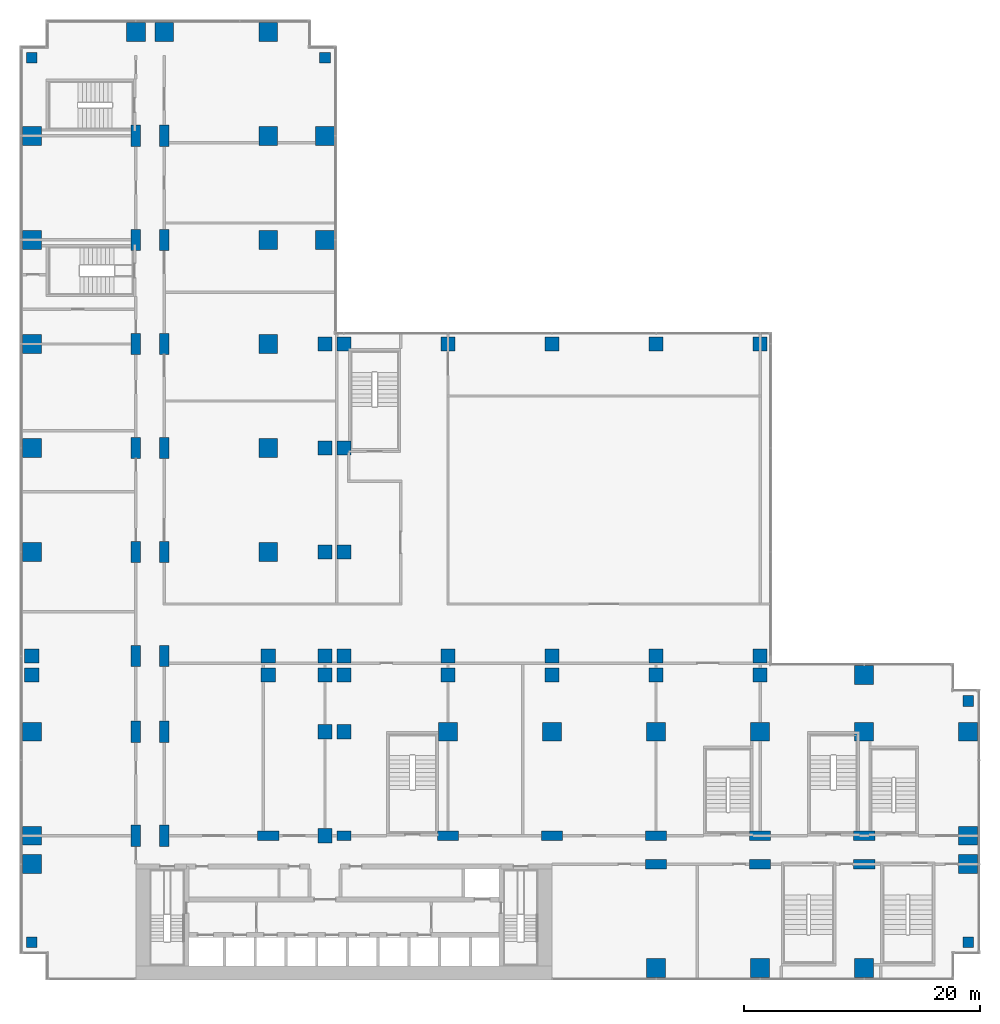
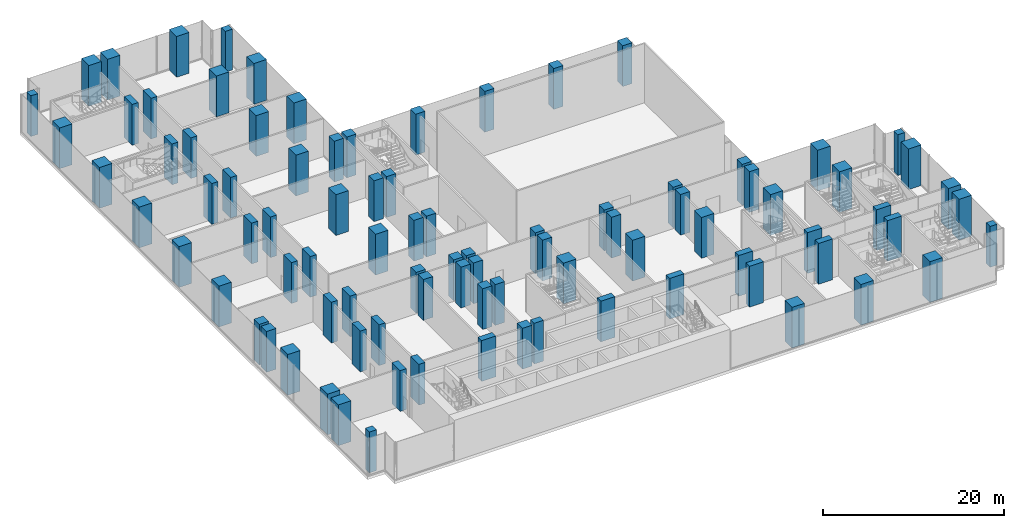
# One storey, part 1 of 30: 90 columns.
"""IFC4 building model written with IfcOpenShell, lengths in metres."""

from ifc_helpers import new_model, si_unit, direction, frame, origin, origin_2d, place, context, subcontext, project, spatial, rectangle, extrude, material, material_profile, profile_set, type_object, element, save


model = new_model("IFC4")

# Units and contexts
model_context = context("Model", 3, precision=1e-05, world=origin(), true_north=direction((0.0, 1.0)))
body_context = subcontext(model_context, "Body", "Model", "MODEL_VIEW")
ifc_project = project(units=[si_unit("LENGTHUNIT", "METRE"), si_unit("AREAUNIT", "SQUARE_METRE"), si_unit("VOLUMEUNIT", "CUBIC_METRE"), si_unit("PLANEANGLEUNIT", "RADIAN"), si_unit("MASSUNIT", "GRAM", prefix="KILO")], contexts=[model_context])

# Site, building, storey
site_placement = place(None, origin())
site = spatial("IfcSite", under=ifc_project, at=site_placement, CompositionType="ELEMENT")
building_placement = place(site_placement, origin())
building = spatial("IfcBuilding", under=site, at=building_placement, Name="Kemantara Hotel Tower", CompositionType="ELEMENT")
storey_placement = place(building_placement, frame((0.0, 0.0, 18.0)))
storey = spatial("IfcBuildingStorey", under=building, at=storey_placement, Name="L03", CompositionType="ELEMENT", Elevation=18.0)

# Columns
ifc_material = material(Name="Concrete fc 70 MPa", Category="concrete")
ifc_material_profile_1 = material_profile(ifc_material, rectangle(XDim=1.199951171875, YDim=1.199951171875, at=origin_2d()), Name="RC 1200X1200")
ifc_profile_set_1 = profile_set([ifc_material_profile_1], Name="Concrete fc 70 MPa")
column_type_1 = type_object("IfcColumnType", Name="RC COLUMN 1200X1200 FC70", PredefinedType="COLUMN", material=ifc_profile_set_1)
for number, where, z_axis, x_axis, name in (
    (1, (1.0, 25.800048828125, 0.0), (0.0, 0.0, 1.0), (1.0, 0.0, 0.0), "COLUMN 1/CA L03"),
    (2, (1.0, 27.39990234375, 0.0), (0.0, 0.0, 1.0), (1.0, 0.0, 0.0), "COLUMN 1/D L03"),
    (3, (21.0, 25.800048828125, 0.0), (0.0, 0.0, 1.0), (1.0, 0.0, 0.0), "COLUMN 3/CA L03"),
    (4, (21.0, 27.39990234375, 0.0), (0.0, 0.0, 1.0), (1.0, 0.0, 0.0), "COLUMN 3/D L03"),
    (5, (25.800048828125, 12.199951171875, 0.0), (0.0, 0.0, 1.0), (1.0, 0.0, 0.0), "COLUMN 3A/BA L03"),
    (6, (25.800048828125, 21.0, 0.0), (0.0, 0.0, 1.0), (1.0, 0.0, 0.0), "COLUMN 3A/C L03"),
    (7, (25.800048828125, 25.800048828125, 0.0), (0.0, 0.0, 1.0), (1.0, 0.0, 0.0), "COLUMN 3A/CA L03"),
    (8, (25.800048828125, 27.39990234375, 0.0), (0.0, 0.0, 1.0), (1.0, 0.0, 0.0), "COLUMN 3A/D L03"),
    (9, (25.800048828125, 36.199951171875, 0.0), (0.0, 0.0, 1.0), (1.0, 0.0, 0.0), "COLUMN 3A/E L03"),
    (10, (25.800048828125, 45.0, 0.0), (0.0, 0.0, 1.0), (1.0, 0.0, 0.0), "COLUMN 3A/F L03"),
    (11, (25.800048828125, 53.800048828125, 0.0), (0.0, 0.0, 1.0), (1.0, 0.0, 0.0), "COLUMN 3A/G L03"),
    (12, (27.39990234375, 21.0, 0.0), (0.0, 0.0, 1.0), (1.0, 0.0, 0.0), "COLUMN 4/C L03"),
    (13, (27.39990234375, 25.800048828125, 0.0), (0.0, 0.0, 1.0), (1.0, 0.0, 0.0), "COLUMN 4/CA L03"),
    (14, (36.199951171875, 25.800048828125, 0.0), (0.0, 0.0, 1.0), (1.0, 0.0, 0.0), "COLUMN 5/CA L03"),
    (15, (45.0, 25.800048828125, 0.0), (0.0, 0.0, 1.0), (1.0, 0.0, 0.0), "COLUMN 6/CA L03"),
    (16, (53.800048828125, 25.800048828125, 0.0), (0.0, 0.0, 1.0), (1.0, 0.0, 0.0), "COLUMN 7/CA L03"),
    (17, (62.60009765625, 25.800048828125, 0.0), (0.0, 0.0, 1.0), (1.0, 0.0, 0.0), "COLUMN 8/CA L03"),
    (18, (27.39990234375, 27.39990234375, 0.0), (0.0, 0.0, 1.0), (1.0, 0.0, 0.0), "COLUMN 4/D L03"),
    (19, (27.39990234375, 36.199951171875, 0.0), (0.0, 0.0, 1.0), (1.0, 0.0, 0.0), "COLUMN 4/E L03"),
    (20, (27.39990234375, 45.0, 0.0), (0.0, 0.0, 1.0), (1.0, 0.0, 0.0), "COLUMN 4/F L03"),
    (21, (27.39990234375, 53.800048828125, 0.0), (0.0, 0.0, 1.0), (1.0, 0.0, 0.0), "COLUMN 4/G L03"),
    (22, (36.199951171875, 27.39990234375, 0.0), (0.0, 0.0, 1.0), (1.0, 0.0, 0.0), "COLUMN 5/D L03"),
    (23, (36.199951171875, 53.800048828125, 0.0), (0.0, 0.0, 1.0), (1.0, 0.0, 0.0), "COLUMN 5/G L03"),
    (24, (45.0, 27.39990234375, 0.0), (0.0, 0.0, 1.0), (1.0, 0.0, 0.0), "COLUMN 6/D L03"),
    (25, (45.0, 53.800048828125, 0.0), (0.0, 0.0, 1.0), (1.0, 0.0, 0.0), "COLUMN 6/G L03"),
    (26, (53.800048828125, 27.39990234375, 0.0), (0.0, 0.0, 1.0), (1.0, 0.0, 0.0), "COLUMN 7/D L03"),
    (27, (53.800048828125, 53.800048828125, 0.0), (0.0, 0.0, 1.0), (1.0, 0.0, 0.0), "COLUMN 7/G L03"),
    (28, (62.60009765625, 27.39990234375, 0.0), (0.0, 0.0, 1.0), (1.0, 0.0, 0.0), "COLUMN 8/D L03"),
    (29, (62.60009765625, 53.800048828125, 0.0), (0.0, 0.0, 1.0), (1.0, 0.0, 0.0), "COLUMN 8/G L03"),
):
    element("IfcColumn", number, at=place(storey_placement, frame(where, z_axis=z_axis, x_axis=x_axis)), inside=storey, type_object=column_type_1, Name=name, PredefinedType="COLUMN", context=body_context, shape_type="SweptSolid", body=[
        extrude(rectangle(XDim=1.199951171875, YDim=1.199951171875, at=origin_2d()), origin(), (0.0, 0.0, 1.0), 5.5),
    ])
ifc_material_profile_2 = material_profile(ifc_material, rectangle(XDim=1.199951171875, YDim=0.800048828125, at=origin_2d()), Name="RC 1200X800")
ifc_profile_set_2 = profile_set([ifc_material_profile_2], Name="Concrete fc 70 MPa")
column_type_2 = type_object("IfcColumnType", Name="RC COLUMN 1200X800 FC70", PredefinedType="COLUMN", material=ifc_profile_set_2)
column_placement = place(storey_placement, frame((27.39990234375, 12.199951171875, 0.0), z_axis=(0.0, 0.0, 1.0), x_axis=(1.0, 0.0, 0.0)))
element("IfcColumn", 30, at=column_placement, inside=storey, type_object=column_type_2, Name="COLUMN 4/BA L03", PredefinedType="COLUMN", context=body_context, shape_type="SweptSolid", body=[
    extrude(rectangle(XDim=1.199951171875, YDim=0.800048828125, at=origin_2d()), origin(), (0.0, 0.0, 1.0), 5.5),
])
ifc_material_profile_3 = material_profile(ifc_material, rectangle(XDim=1.60009765625, YDim=1.60009765625, at=origin_2d()), Name="RC 1600X1600")
ifc_profile_set_3 = profile_set([ifc_material_profile_3], Name="Concrete fc 70 MPa")
column_type_3 = type_object("IfcColumnType", Name="RC COLUMN 1600X1600 FC70", PredefinedType="COLUMN", material=ifc_profile_set_3)
for number, where, z_axis, x_axis, name in (
    (31, (1.0, 9.800048828125, 0.0), (0.0, 0.0, 1.0), (1.0, 0.0, 0.0), "COLUMN 1/B L03"),
    (32, (1.0, 12.199951171875, 0.0), (0.0, 0.0, 1.0), (1.0, 0.0, 0.0), "COLUMN 1/BA L03"),
    (33, (1.0, 21.0, 0.0), (0.0, 0.0, 1.0), (1.0, 0.0, 0.0), "COLUMN 1/C L03"),
    (34, (1.0, 36.199951171875, 0.0), (0.0, 0.0, 1.0), (1.0, 0.0, 0.0), "COLUMN 1/E L03"),
    (35, (1.0, 45.0, 0.0), (0.0, 0.0, 1.0), (1.0, 0.0, 0.0), "COLUMN 1/F L03"),
    (36, (1.0, 53.800048828125, 0.0), (0.0, 0.0, 1.0), (1.0, 0.0, 0.0), "COLUMN 1/G L03"),
    (37, (1.0, 62.60009765625, 0.0), (0.0, 0.0, 1.0), (1.0, 0.0, 0.0), "COLUMN 1/H L03"),
    (38, (1.0, 71.39990234375, 0.0), (0.0, 0.0, 1.0), (1.0, 0.0, 0.0), "COLUMN 1/J L03"),
    (39, (9.800048828125, 80.199951171875, 0.0), (0.0, 0.0, 1.0), (1.0, 0.0, 0.0), "COLUMN 2/K L03"),
    (40, (12.199951171875, 80.199951171875, 0.0), (0.0, 0.0, 1.0), (1.0, 0.0, 0.0), "COLUMN 2A/K L03"),
    (41, (21.0, 36.199951171875, 0.0), (0.0, 0.0, 1.0), (1.0, 0.0, 0.0), "COLUMN 3/E L03"),
    (42, (21.0, 45.0, 0.0), (0.0, 0.0, 1.0), (1.0, 0.0, 0.0), "COLUMN 3/F L03"),
    (43, (21.0, 53.800048828125, 0.0), (0.0, 0.0, 1.0), (1.0, 0.0, 0.0), "COLUMN 3/G L03"),
    (44, (21.0, 62.60009765625, 0.0), (0.0, 0.0, 1.0), (1.0, 0.0, 0.0), "COLUMN 3/H L03"),
    (45, (21.0, 71.39990234375, 0.0), (0.0, 0.0, 1.0), (1.0, 0.0, 0.0), "COLUMN 3/J L03"),
    (46, (21.0, 80.199951171875, 0.0), (0.0, 0.0, 1.0), (1.0, 0.0, 0.0), "COLUMN 3/K L03"),
    (47, (25.800048828125, 62.60009765625, 0.0), (0.0, 0.0, 1.0), (1.0, 0.0, 0.0), "COLUMN 3A/H L03"),
    (48, (25.800048828125, 71.39990234375, 0.0), (0.0, 0.0, 1.0), (1.0, 0.0, 0.0), "COLUMN 3A/J L03"),
    (49, (36.199951171875, 21.0, 0.0), (0.0, 0.0, 1.0), (1.0, 0.0, 0.0), "COLUMN 5/C L03"),
    (50, (45.0, 21.0, 0.0), (0.0, 0.0, 1.0), (1.0, 0.0, 0.0), "COLUMN 6/C L03"),
    (51, (53.800048828125, 1.0, 0.0), (0.0, 0.0, 1.0), (1.0, 0.0, 0.0), "COLUMN 7/A L03"),
    (52, (53.800048828125, 21.0, 0.0), (0.0, 0.0, 1.0), (1.0, 0.0, 0.0), "COLUMN 7/C L03"),
    (53, (62.60009765625, 1.0, 0.0), (0.0, 0.0, 1.0), (1.0, 0.0, 0.0), "COLUMN 8/A L03"),
    (54, (62.60009765625, 21.0, 0.0), (0.0, 0.0, 1.0), (1.0, 0.0, 0.0), "COLUMN 8/C L03"),
    (55, (71.39990234375, 1.0, 0.0), (0.0, 0.0, 1.0), (1.0, 0.0, 0.0), "COLUMN 9/A L03"),
    (56, (71.39990234375, 21.0, 0.0), (0.0, 0.0, 1.0), (1.0, 0.0, 0.0), "COLUMN 9/C L03"),
    (57, (71.39990234375, 25.800048828125, 0.0), (0.0, 0.0, 1.0), (1.0, 0.0, 0.0), "COLUMN 9/CA L03"),
    (58, (80.199951171875, 9.800048828125, 0.0), (0.0, 0.0, 1.0), (1.0, 0.0, 0.0), "COLUMN 10/B L03"),
    (59, (80.199951171875, 12.199951171875, 0.0), (0.0, 0.0, 1.0), (1.0, 0.0, 0.0), "COLUMN 10/BA L03"),
    (60, (80.199951171875, 21.0, 0.0), (0.0, 0.0, 1.0), (1.0, 0.0, 0.0), "COLUMN 10/C L03"),
):
    element("IfcColumn", number, at=place(storey_placement, frame(where, z_axis=z_axis, x_axis=x_axis)), inside=storey, type_object=column_type_3, Name=name, PredefinedType="COLUMN", context=body_context, shape_type="SweptSolid", body=[
        extrude(rectangle(XDim=1.60009765625, YDim=1.60009765625, at=origin_2d()), origin(), (0.0, 0.0, 1.0), 5.5),
    ])
ifc_material_profile_4 = material_profile(ifc_material, rectangle(XDim=1.800048828125, YDim=0.800048828125, at=origin_2d()), Name="RC 1800X800")
ifc_profile_set_4 = profile_set([ifc_material_profile_4], Name="Concrete fc 70 MPa")
column_type_4 = type_object("IfcColumnType", Name="RC COLUMN 1800X800 FC70", PredefinedType="COLUMN", material=ifc_profile_set_4)
for number, where, z_axis, x_axis, name in (
    (61, (9.800048828125, 12.199951171875, 0.0), (0.0, 0.0, 1.0), (0.0, 1.0, 0.0), "COLUMN 2/BA L03"),
    (62, (9.800048828125, 21.0, 0.0), (0.0, 0.0, 1.0), (0.0, 1.0, 0.0), "COLUMN 2/C L03"),
    (63, (9.800048828125, 27.39990234375, 0.0), (0.0, 0.0, 1.0), (0.0, 1.0, 0.0), "COLUMN 2/D L03"),
    (64, (9.800048828125, 36.199951171875, 0.0), (0.0, 0.0, 1.0), (0.0, 1.0, 0.0), "COLUMN 2/E L03"),
    (65, (9.800048828125, 45.0, 0.0), (0.0, 0.0, 1.0), (0.0, 1.0, 0.0), "COLUMN 2/F L03"),
    (66, (9.800048828125, 53.800048828125, 0.0), (0.0, 0.0, 1.0), (0.0, 1.0, 0.0), "COLUMN 2/G L03"),
    (67, (9.800048828125, 62.60009765625, 0.0), (0.0, 0.0, 1.0), (0.0, 1.0, 0.0), "COLUMN 2/H L03"),
    (68, (9.800048828125, 71.39990234375, 0.0), (0.0, 0.0, 1.0), (0.0, 1.0, 0.0), "COLUMN 2/J L03"),
    (69, (12.199951171875, 12.199951171875, 0.0), (0.0, 0.0, 1.0), (0.0, 1.0, 0.0), "COLUMN 2A/BA L03"),
    (70, (12.199951171875, 21.0, 0.0), (0.0, 0.0, 1.0), (0.0, 1.0, 0.0), "COLUMN 2A/C L03"),
    (71, (12.199951171875, 27.39990234375, 0.0), (0.0, 0.0, 1.0), (0.0, 1.0, 0.0), "COLUMN 2A/D L03"),
    (72, (12.199951171875, 36.199951171875, 0.0), (0.0, 0.0, 1.0), (0.0, 1.0, 0.0), "COLUMN 2A/E L03"),
    (73, (12.199951171875, 45.0, 0.0), (0.0, 0.0, 1.0), (0.0, 1.0, 0.0), "COLUMN 2A/F L03"),
    (74, (12.199951171875, 53.800048828125, 0.0), (0.0, 0.0, 1.0), (0.0, 1.0, 0.0), "COLUMN 2A/G L03"),
    (75, (12.199951171875, 62.60009765625, 0.0), (0.0, 0.0, 1.0), (0.0, 1.0, 0.0), "COLUMN 2A/H L03"),
    (76, (12.199951171875, 71.39990234375, 0.0), (0.0, 0.0, 1.0), (0.0, 1.0, 0.0), "COLUMN 2A/J L03"),
    (77, (21.0, 12.199951171875, 0.0), (0.0, 0.0, 1.0), (1.0, 0.0, 0.0), "COLUMN 3/BA L03"),
    (78, (36.199951171875, 12.199951171875, 0.0), (0.0, 0.0, 1.0), (1.0, 0.0, 0.0), "COLUMN 5/BA L03"),
    (79, (45.0, 12.199951171875, 0.0), (0.0, 0.0, 1.0), (1.0, 0.0, 0.0), "COLUMN 6/BA L03"),
    (80, (53.800048828125, 9.800048828125, 0.0), (0.0, 0.0, 1.0), (1.0, 0.0, 0.0), "COLUMN 7/B L03"),
    (81, (53.800048828125, 12.199951171875, 0.0), (0.0, 0.0, 1.0), (1.0, 0.0, 0.0), "COLUMN 7/BA L03"),
    (82, (62.60009765625, 9.800048828125, 0.0), (0.0, 0.0, 1.0), (1.0, 0.0, 0.0), "COLUMN 8/B L03"),
    (83, (62.60009765625, 12.199951171875, 0.0), (0.0, 0.0, 1.0), (1.0, 0.0, 0.0), "COLUMN 8/BA L03"),
    (84, (71.39990234375, 9.800048828125, 0.0), (0.0, 0.0, 1.0), (1.0, 0.0, 0.0), "COLUMN 9/B L03"),
    (85, (71.39990234375, 12.199951171875, 0.0), (0.0, 0.0, 1.0), (1.0, 0.0, 0.0), "COLUMN 9/BA L03"),
):
    element("IfcColumn", number, at=place(storey_placement, frame(where, z_axis=z_axis, x_axis=x_axis)), inside=storey, type_object=column_type_4, Name=name, PredefinedType="COLUMN", context=body_context, shape_type="SweptSolid", body=[
        extrude(rectangle(XDim=1.800048828125, YDim=0.800048828125, at=origin_2d()), origin(), (0.0, 0.0, 1.0), 5.5),
    ])
ifc_material_profile_5 = material_profile(ifc_material, rectangle(XDim=0.89990234375, YDim=0.89990234375, at=origin_2d()), Name="RC 900X900")
ifc_profile_set_5 = profile_set([ifc_material_profile_5], Name="Concrete fc 70 MPa")
column_type_5 = type_object("IfcColumnType", Name="RC COLUMN 900X900 FC70", PredefinedType="COLUMN", material=ifc_profile_set_5)
for number, where, z_axis, x_axis, name in (
    (86, (1.0, 3.199951171875, 0.0), (0.0, 0.0, 1.0), (1.0, 0.0, 0.0), "COLUMN notch corner L03"),
    (87, (1.0, 78.0, 0.0), (0.0, 0.0, 1.0), (1.0, 0.0, 0.0), "COLUMN notch corner L03"),
    (88, (25.800048828125, 78.0, 0.0), (0.0, 0.0, 1.0), (1.0, 0.0, 0.0), "COLUMN notch corner L03"),
    (89, (80.199951171875, 3.199951171875, 0.0), (0.0, 0.0, 1.0), (1.0, 0.0, 0.0), "COLUMN notch corner L03"),
    (90, (80.199951171875, 23.60009765625, 0.0), (0.0, 0.0, 1.0), (1.0, 0.0, 0.0), "COLUMN notch corner L03"),
):
    element("IfcColumn", number, at=place(storey_placement, frame(where, z_axis=z_axis, x_axis=x_axis)), inside=storey, type_object=column_type_5, Name=name, PredefinedType="COLUMN", context=body_context, shape_type="SweptSolid", body=[
        extrude(rectangle(XDim=0.89990234375, YDim=0.89990234375, at=origin_2d()), origin(), (0.0, 0.0, 1.0), 5.5),
    ])

save(model, "model.ifc")
